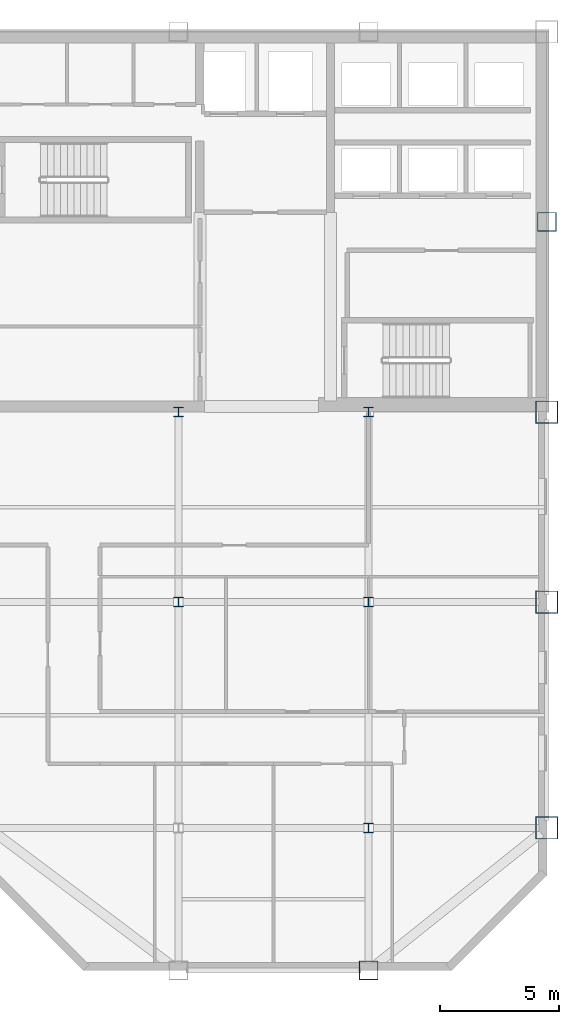
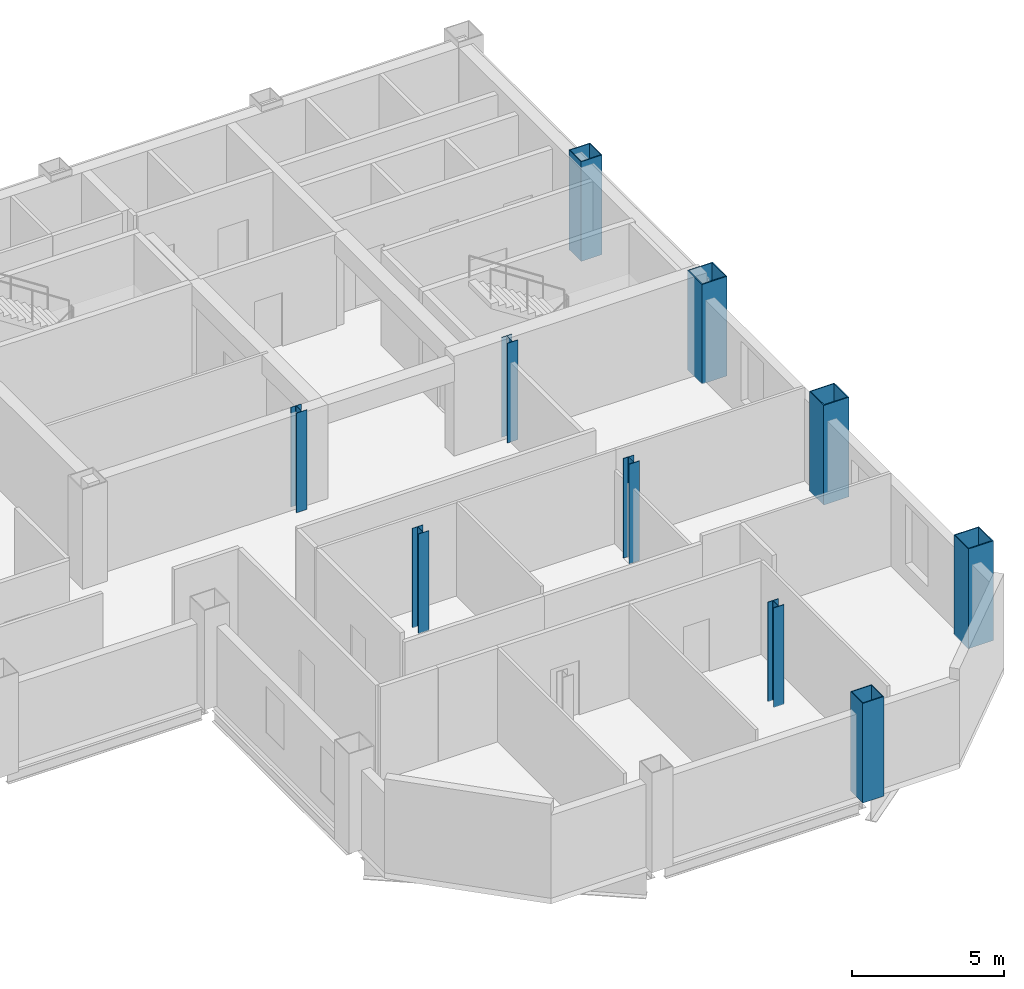
# One storey, part 2 of 9: 10 columns.
"""IFC4 building model written with IfcOpenShell, lengths in metres."""

from ifc_helpers import new_model, si_unit, direction, frame, origin, origin_2d, place, context, subcontext, project, spatial, hollow_rectangle, i_section, extrude, material, material_profile, profile_set, type_object, element, save


model = new_model("IFC4")

# Units and contexts
model_context = context("Model", 3, precision=1e-05, world=origin(), true_north=direction((0.0, 1.0)))
body_context = subcontext(model_context, "Body", "Model", "MODEL_VIEW")
ifc_project = project(units=[si_unit("LENGTHUNIT", "METRE"), si_unit("AREAUNIT", "SQUARE_METRE"), si_unit("VOLUMEUNIT", "CUBIC_METRE"), si_unit("PLANEANGLEUNIT", "RADIAN"), si_unit("MASSUNIT", "GRAM", prefix="KILO")], contexts=[model_context])

# Site, building, storey
site_placement = place(None, origin())
site = spatial("IfcSite", under=ifc_project, at=site_placement, CompositionType="ELEMENT")
building_placement = place(site_placement, origin())
building = spatial("IfcBuilding", under=site, at=building_placement, Name="Qianrong Seaharbour Tower", CompositionType="ELEMENT")
storey_placement = place(building_placement, frame((0.0, 0.0, 269.800048828125)))
storey = spatial("IfcBuildingStorey", under=building, at=storey_placement, Name="L65", CompositionType="ELEMENT", Elevation=269.800048828125)

# Columns
ifc_material = material(Name="Structural steel SN490B", Category="steel")
ifc_material_profile_1 = material_profile(ifc_material, hollow_rectangle(XDim=0.949951171875, YDim=0.949951171875, WallThickness=0.035888671875, at=origin_2d()), Name="BOX950x950x36")
ifc_profile_set_1 = profile_set([ifc_material_profile_1], Name="Structural steel SN490B")
column_type_1 = type_object("IfcColumnType", Name="COL-CFT-950", PredefinedType="COLUMN", material=ifc_profile_set_1)
for number, where, z_axis, x_axis, name in (
    (1, (64.0, 18.5, 0.0), (0.0, 0.0, 1.0), (1.0, 0.0, 0.0), "L65 Column MC-4 at G9/GD"),
    (2, (64.0, 28.0, 0.0), (0.0, 0.0, 1.0), (1.0, 0.0, 0.0), "L65 Column MC-4 at G9/GE"),
    (3, (64.0, 36.0, 0.0), (0.0, 0.0, 1.0), (1.0, 0.0, 0.0), "L65 Column MC-4 at G9/GF"),
):
    element("IfcColumn", number, at=place(storey_placement, frame(where, z_axis=z_axis, x_axis=x_axis)), inside=storey, type_object=column_type_1, Name=name, PredefinedType="COLUMN", context=body_context, shape_type="SweptSolid", body=[
        extrude(hollow_rectangle(XDim=0.949951171875, YDim=0.949951171875, WallThickness=0.035888671875, at=origin_2d()), origin(), (0.0, 0.0, 1.0), 4.0),
    ])
ifc_material_profile_2 = material_profile(ifc_material, i_section(OverallWidth=0.39990234375, OverallDepth=0.39990234375, WebThickness=0.012939453125, FlangeThickness=0.02099609375, FilletRadius=0.02197265625, at=origin_2d()), Name="H400x400x13x21")
ifc_profile_set_2 = profile_set([ifc_material_profile_2], Name="Structural steel SN490B")
column_type_2 = type_object("IfcColumnType", Name="COL-INT-H400", PredefinedType="COLUMN", material=ifc_profile_set_2)
for number, where, z_axis, x_axis, name in (
    (4, (48.5, 28.0, 0.0), (0.0, 0.0, 1.0), (1.0, 0.0, 0.0), "L65 Column IC-3 at G7/GE"),
    (5, (48.5, 36.0, 0.0), (0.0, 0.0, 1.0), (1.0, 0.0, 0.0), "L65 Column IC-3 at G7/GF"),
    (6, (56.5, 18.5, 0.0), (0.0, 0.0, 1.0), (1.0, 0.0, 0.0), "L65 Column IC-3 at G8/GD"),
    (7, (56.5, 28.0, 0.0), (0.0, 0.0, 1.0), (1.0, 0.0, 0.0), "L65 Column IC-3 at G8/GE"),
    (8, (56.5, 36.0, 0.0), (0.0, 0.0, 1.0), (1.0, 0.0, 0.0), "L65 Column IC-3 at G8/GF"),
):
    element("IfcColumn", number, at=place(storey_placement, frame(where, z_axis=z_axis, x_axis=x_axis)), inside=storey, type_object=column_type_2, Name=name, PredefinedType="COLUMN", context=body_context, shape_type="SweptSolid", body=[
        extrude(i_section(OverallWidth=0.39990234375, OverallDepth=0.39990234375, WebThickness=0.012939453125, FlangeThickness=0.02099609375, FilletRadius=0.02197265625, at=origin_2d()), origin(), (0.0, 0.0, 1.0), 4.0),
    ])
ifc_material_profile_3 = material_profile(ifc_material, hollow_rectangle(XDim=0.800048828125, YDim=0.800048828125, WallThickness=0.031982421875, at=origin_2d()), Name="BOX800x800x32")
ifc_profile_set_3 = profile_set([ifc_material_profile_3], Name="Structural steel SN490B")
column_type_3 = type_object("IfcColumnType", Name="COL-PER-800", PredefinedType="COLUMN", material=ifc_profile_set_3)
for number, where, z_axis, x_axis, name in (
    (9, (56.5, 12.5, 0.0), (0.0, 0.0, 1.0), (1.0, 0.0, 0.0), "L65 Column PC-3 at G8/GC"),
    (10, (64.0, 44.0, 0.0), (0.0, 0.0, 1.0), (1.0, 0.0, 0.0), "L65 Column PC-3 at G9/GG"),
):
    element("IfcColumn", number, at=place(storey_placement, frame(where, z_axis=z_axis, x_axis=x_axis)), inside=storey, type_object=column_type_3, Name=name, PredefinedType="COLUMN", context=body_context, shape_type="SweptSolid", body=[
        extrude(hollow_rectangle(XDim=0.800048828125, YDim=0.800048828125, WallThickness=0.031982421875, at=origin_2d()), origin(), (0.0, 0.0, 1.0), 4.0),
    ])

save(model, "model.ifc")
